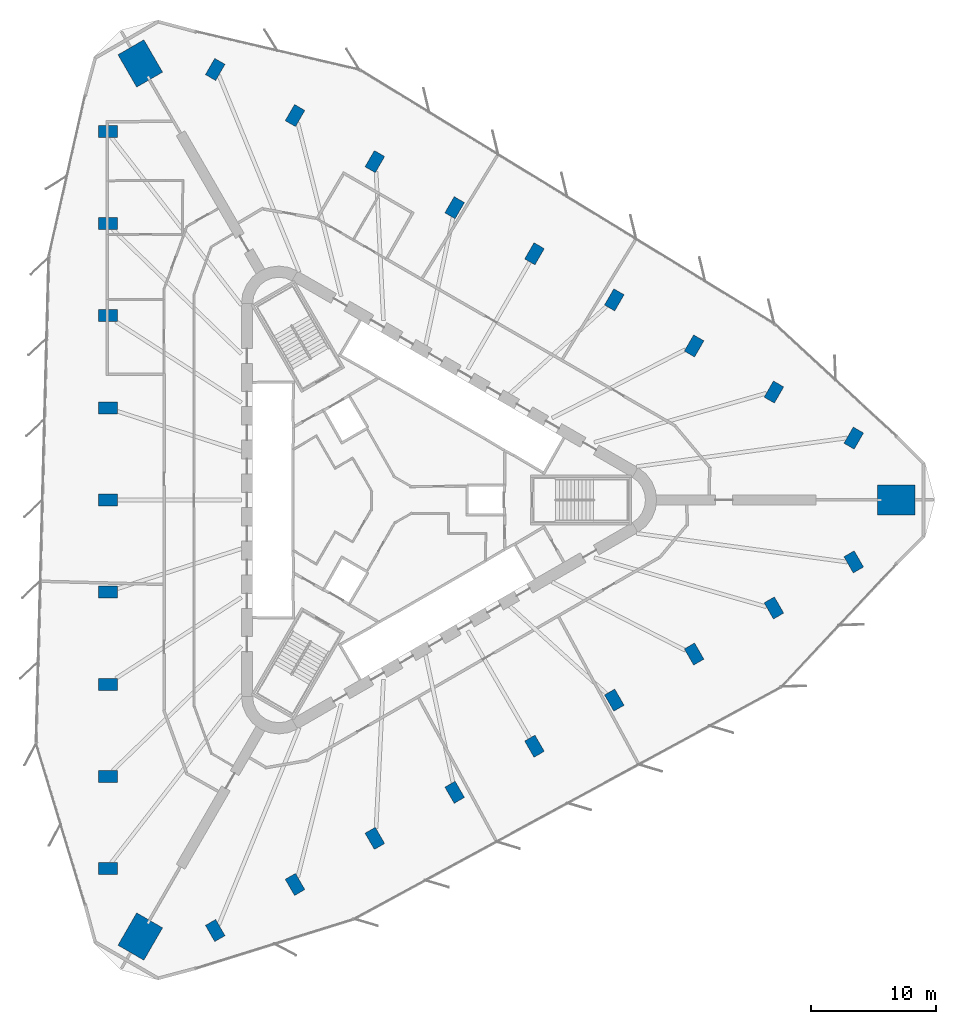
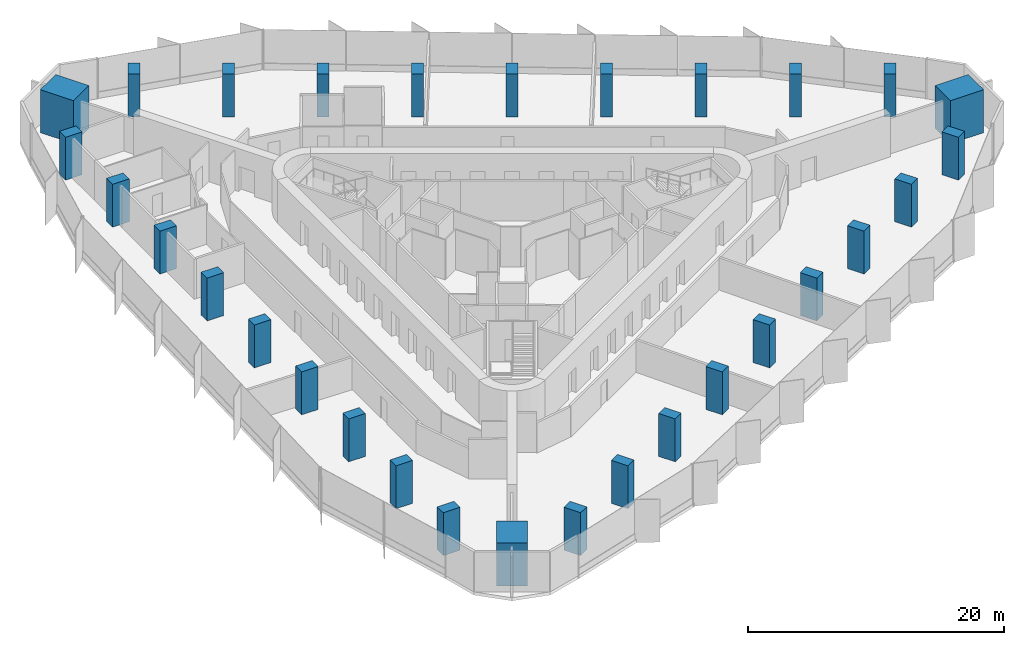
# One storey, part 1 of 14: 30 columns.
"""IFC4 building model written with IfcOpenShell, lengths in metres."""

from ifc_helpers import new_model, si_unit, direction, frame, origin, origin_2d, place, context, subcontext, project, spatial, rectangle, extrude, material, material_profile, profile_set, type_object, element, save


model = new_model("IFC4")

# Units and contexts
model_context = context("Model", 3, precision=1e-05, world=origin(), true_north=direction((0.0, 1.0)))
body_context = subcontext(model_context, "Body", "Model", "MODEL_VIEW")
ifc_project = project(units=[si_unit("LENGTHUNIT", "METRE"), si_unit("AREAUNIT", "SQUARE_METRE"), si_unit("VOLUMEUNIT", "CUBIC_METRE"), si_unit("PLANEANGLEUNIT", "RADIAN"), si_unit("MASSUNIT", "GRAM", prefix="KILO")], contexts=[model_context])

# Site, building, storey
site_placement = place(None, origin())
site = spatial("IfcSite", under=ifc_project, at=site_placement, CompositionType="ELEMENT")
building_placement = place(site_placement, origin())
building = spatial("IfcBuilding", under=site, at=building_placement, Name="Tanit Gate Tower", CompositionType="ELEMENT")
storey_placement = place(building_placement, frame((0.0, 0.0, 119.300048828125)))
storey = spatial("IfcBuildingStorey", under=building, at=storey_placement, Name="L25", CompositionType="ELEMENT", Elevation=119.300048828125)

# Columns
ifc_material_1 = material(Name="Concrete C70/85", Category="concrete")
ifc_material_profile_1 = material_profile(ifc_material_1, rectangle(XDim=3.0, YDim=2.39990234375, at=origin_2d()), Name="RC 3000x2400")
ifc_profile_set_1 = profile_set([ifc_material_profile_1], Name="Concrete C70/85")
column_type_1 = type_object("IfcColumnType", Name="MEGA COLUMN 3000x2400 C70/85", PredefinedType="COLUMN", material=ifc_profile_set_1)
for number, where, z_axis, x_axis, name in (
    (1, (40.42529296875, 0.0, 0.0), (0.0, 0.0, 1.0), (1.0, 0.0, 0.0), "MEGA COLUMN"),
    (2, (-20.212646484375, 35.009521484375, 0.0), (0.0, 0.0, 1.0), (-0.5, 0.866025403784, 0.0), "MEGA COLUMN"),
    (3, (-20.212646484375, -35.009521484375, 0.0), (0.0, 0.0, 1.0), (-0.5, -0.866025403784, 0.0), "MEGA COLUMN"),
):
    element("IfcColumn", number, at=place(storey_placement, frame(where, z_axis=z_axis, x_axis=x_axis)), inside=storey, type_object=column_type_1, Name=name, PredefinedType="COLUMN", context=body_context, shape_type="SweptSolid", body=[
        extrude(rectangle(XDim=3.0, YDim=2.39990234375, at=origin_2d()), origin(), (0.0, 0.0, 1.0), 4.099853515625),
    ])
ifc_material_2 = material(Name="Concrete C60/75", Category="concrete")
ifc_material_profile_2 = material_profile(ifc_material_2, rectangle(XDim=1.5, YDim=0.949951171875, at=origin_2d()), Name="RC 1500x950")
ifc_profile_set_2 = profile_set([ifc_material_profile_2], Name="Concrete C60/75")
column_type_2 = type_object("IfcColumnType", Name="PERIMETER COLUMN 1500x950 C60/75", PredefinedType="COLUMN", material=ifc_profile_set_2)
for number, where, z_axis, x_axis, name in (
    (4, (-22.80029296875, 29.56591796875, 0.0), (0.0, 0.0, 1.0), (-1.0, 0.0, 0.0), "PERIMETER COLUMN"),
    (5, (-22.80029296875, 22.17431640625, 0.0), (0.0, 0.0, 1.0), (-1.0, 0.0, 0.0), "PERIMETER COLUMN"),
    (6, (-22.80029296875, 14.782958984375, 0.0), (0.0, 0.0, 1.0), (-1.0, 0.0, 0.0), "PERIMETER COLUMN"),
    (7, (-22.80029296875, 7.391357421875, 0.0), (0.0, 0.0, 1.0), (-1.0, 0.0, 0.0), "PERIMETER COLUMN"),
    (8, (-22.80029296875, 0.0, 0.0), (0.0, 0.0, 1.0), (-1.0, 0.0, 0.0), "PERIMETER COLUMN"),
    (9, (-22.80029296875, -7.391357421875, 0.0), (0.0, 0.0, 1.0), (-1.0, 0.0, 0.0), "PERIMETER COLUMN"),
    (10, (-22.80029296875, -14.782958984375, 0.0), (0.0, 0.0, 1.0), (-1.0, 0.0, 0.0), "PERIMETER COLUMN"),
    (11, (-22.80029296875, -22.17431640625, 0.0), (0.0, 0.0, 1.0), (-1.0, 0.0, 0.0), "PERIMETER COLUMN"),
    (12, (-22.80029296875, -29.56591796875, 0.0), (0.0, 0.0, 1.0), (-1.0, 0.0, 0.0), "PERIMETER COLUMN"),
    (13, (37.0048828125, 4.962646484375, 0.0), (0.0, 0.0, 1.0), (0.5, 0.866025403784, 0.0), "PERIMETER COLUMN"),
    (14, (30.603515625, 8.658447265625, 0.0), (0.0, 0.0, 1.0), (0.5, 0.866025403784, 0.0), "PERIMETER COLUMN"),
    (15, (24.202392578125, 12.35400390625, 0.0), (0.0, 0.0, 1.0), (0.5, 0.866025403784, 0.0), "PERIMETER COLUMN"),
    (16, (17.80126953125, 16.0498046875, 0.0), (0.0, 0.0, 1.0), (0.5, 0.866025403784, 0.0), "PERIMETER COLUMN"),
    (17, (11.400146484375, 19.74560546875, 0.0), (0.0, 0.0, 1.0), (0.5, 0.866025403784, 0.0), "PERIMETER COLUMN"),
    (18, (4.998779296875, 23.44140625, 0.0), (0.0, 0.0, 1.0), (0.5, 0.866025403784, 0.0), "PERIMETER COLUMN"),
    (19, (-1.40234375, 27.136962890625, 0.0), (0.0, 0.0, 1.0), (0.5, 0.866025403784, 0.0), "PERIMETER COLUMN"),
    (20, (-7.803466796875, 30.832763671875, 0.0), (0.0, 0.0, 1.0), (0.5, 0.866025403784, 0.0), "PERIMETER COLUMN"),
    (21, (-14.20458984375, 34.5283203125, 0.0), (0.0, 0.0, 1.0), (0.5, 0.866025403784, 0.0), "PERIMETER COLUMN"),
    (22, (-14.20458984375, -34.5283203125, 0.0), (0.0, 0.0, 1.0), (0.5, -0.866025403784, 0.0), "PERIMETER COLUMN"),
    (23, (-7.803466796875, -30.832763671875, 0.0), (0.0, 0.0, 1.0), (0.5, -0.866025403784, 0.0), "PERIMETER COLUMN"),
    (24, (-1.40234375, -27.136962890625, 0.0), (0.0, 0.0, 1.0), (0.5, -0.866025403784, 0.0), "PERIMETER COLUMN"),
    (25, (4.998779296875, -23.44140625, 0.0), (0.0, 0.0, 1.0), (0.5, -0.866025403784, 0.0), "PERIMETER COLUMN"),
    (26, (11.400146484375, -19.74560546875, 0.0), (0.0, 0.0, 1.0), (0.5, -0.866025403784, 0.0), "PERIMETER COLUMN"),
    (27, (17.80126953125, -16.0498046875, 0.0), (0.0, 0.0, 1.0), (0.5, -0.866025403784, 0.0), "PERIMETER COLUMN"),
    (28, (24.202392578125, -12.35400390625, 0.0), (0.0, 0.0, 1.0), (0.5, -0.866025403784, 0.0), "PERIMETER COLUMN"),
    (29, (30.603515625, -8.658447265625, 0.0), (0.0, 0.0, 1.0), (0.5, -0.866025403784, 0.0), "PERIMETER COLUMN"),
    (30, (37.0048828125, -4.962646484375, 0.0), (0.0, 0.0, 1.0), (0.5, -0.866025403784, 0.0), "PERIMETER COLUMN"),
):
    element("IfcColumn", number, at=place(storey_placement, frame(where, z_axis=z_axis, x_axis=x_axis)), inside=storey, type_object=column_type_2, Name=name, PredefinedType="COLUMN", context=body_context, shape_type="SweptSolid", body=[
        extrude(rectangle(XDim=1.5, YDim=0.949951171875, at=origin_2d()), origin(), (0.0, 0.0, 1.0), 4.099853515625),
    ])

save(model, "model.ifc")
